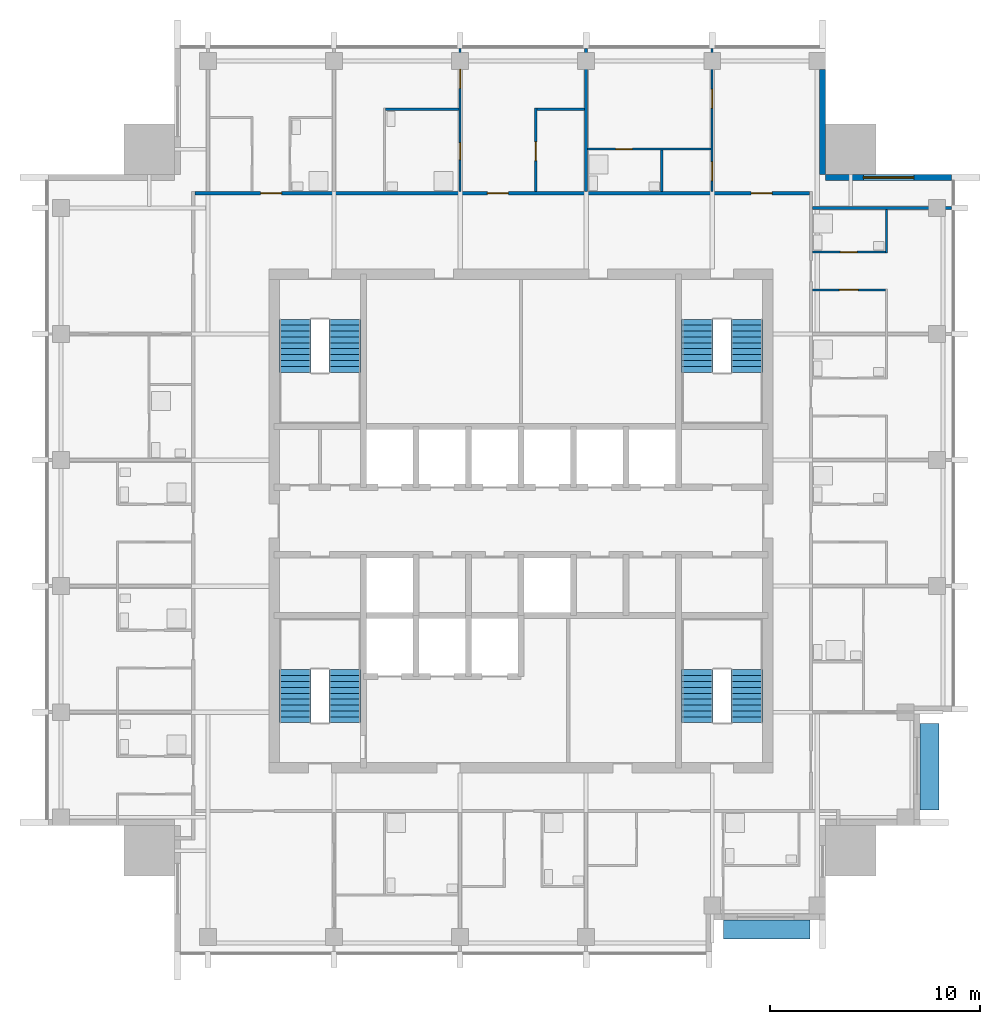
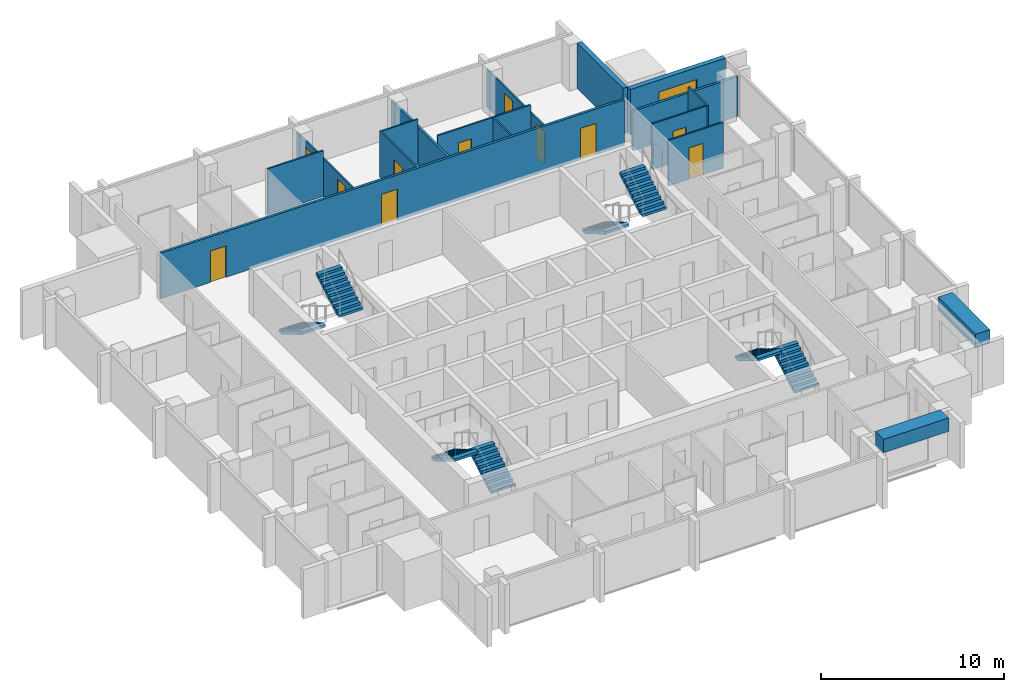
# One storey, part 7 of 9: 15 walls, 11 doors, 8 stair flights, 2 discrete accessories, 1 window, 12 openings, 4 elements without a shape of their own.
"""IFC4 building model written with IfcOpenShell, lengths in metres."""

from ifc_helpers import new_model, si_unit, direction, frame, frame_2d, origin, origin_2d, place, context, subcontext, project, spatial, polyline, rectangle, outline, extrude, material, layer, layer_set, type_object, element, fill, aggregate, save


model = new_model("IFC4")

# Units and contexts
model_context = context("Model", 3, precision=1e-05, world=origin(), true_north=direction((0.0, 1.0)))
body_context = subcontext(model_context, "Body", "Model", "MODEL_VIEW")
ifc_project = project(units=[si_unit("LENGTHUNIT", "METRE"), si_unit("AREAUNIT", "SQUARE_METRE"), si_unit("VOLUMEUNIT", "CUBIC_METRE"), si_unit("PLANEANGLEUNIT", "RADIAN"), si_unit("MASSUNIT", "GRAM", prefix="KILO")], contexts=[model_context])

# Site, building, storey
site_placement = place(None, origin())
site = spatial("IfcSite", under=ifc_project, at=site_placement, CompositionType="ELEMENT")
building_placement = place(site_placement, origin())
building = spatial("IfcBuilding", under=site, at=building_placement, Name="Amberfall Residences", CompositionType="ELEMENT")
storey_placement = place(building_placement, frame((0.0, 0.0, 245.5)))
storey = spatial("IfcBuildingStorey", under=building, at=storey_placement, Name="L65", CompositionType="ELEMENT", Elevation=245.5)

# Wall, opening, window
ifc_material_1 = material(Name="Pale stone cladding on insulated backing", Category="masonry")
ifc_layer_1 = layer(ifc_material_1, 0.300048828125)
ifc_layer_set_1 = layer_set([ifc_layer_1], Name="Bronze clad wall 300")
wall_type_1 = type_object("IfcWallType", Name="Bronze clad wall 300", PredefinedType="SOLIDWALL", material=ifc_layer_set_1)
wall_1_placement = place(storey_placement, frame((95.0, 61.85009765625, 0.0), z_axis=(0.0, 0.0, 1.0), x_axis=(-1.0, 0.0, 0.0)))
wall_1 = element("IfcWall", 1, at=wall_1_placement, inside=storey, type_object=wall_type_1, Name="External wall L65 NE", PredefinedType="SOLIDWALL", context=body_context, shape_type="SweptSolid", body=[
    extrude(rectangle(XDim=6.0, YDim=0.300048828125, at=frame_2d((3.0, 0.0))), origin(), (0.0, 0.0, 1.0), 3.050048828125),
])
opening_1_placement = place(wall_1_placement, frame((1.800048828125, 0.0, 0.14990234375)))
opening_1 = element("IfcOpeningElement", 2, at=opening_1_placement, cuts=wall_1, Name="Opening WN5", PredefinedType="OPENING", context=body_context, shape_type="SweptSolid", body=[
    extrude(rectangle(XDim=2.39990234375, YDim=2.10009765625, at=frame_2d((1.199951171875, 1.050048828125))), frame((0.0, 0.159912109375, 0.0), z_axis=(0.0, -1.0, 0.0), x_axis=(1.0, 0.0, 0.0)), (0.0, 0.0, 1.0), 0.320068359375),
])
ifc_material_2 = material(Name="Bronze aluminium framed glazing", Category="aluminium")
window_type = type_object("IfcWindowType", Name="Glazed opening 2400 x 2100 bronze", PartitioningType="DOUBLE_PANEL_VERTICAL", PredefinedType="WINDOW", material=ifc_material_2)
window_placement = place(opening_1_placement, origin())
window = element("IfcWindow", 3, at=window_placement, inside=storey, type_object=window_type, Name="Window L65 NE", OverallHeight=2.10009765625, OverallWidth=2.39990234375, PartitioningType="DOUBLE_PANEL_VERTICAL", PredefinedType="WINDOW", context=body_context, shape_type="SweptSolid", body=[
    extrude(rectangle(XDim=2.39990234375, YDim=2.10009765625, at=frame_2d((1.199951171875, 1.050048828125))), frame((0.0, 0.030029296875, 0.0), z_axis=(0.0, -1.0, 0.0), x_axis=(1.0, 0.0, 0.0)), (0.0, 0.0, 1.0), 0.06005859375),
])
fill(opening_1, window)

# Wall
wall_2_placement = place(storey_placement, frame((88.85009765625, 62.0, 0.0), z_axis=(0.0, 0.0, 1.0), x_axis=(0.0, 1.0, 0.0)))
element("IfcWall", 4, at=wall_2_placement, inside=storey, type_object=wall_type_1, Name="External wall L65 NE", PredefinedType="SOLIDWALL", context=body_context, shape_type="SweptSolid", body=[
    extrude(rectangle(XDim=5.0, YDim=0.300048828125, at=frame_2d((2.5, 0.0))), origin(), (0.0, 0.0, 1.0), 3.050048828125),
])

# Wall, openings, doors
ifc_material_3 = material(Name="Gypsum board on metal stud")
ifc_layer_2 = layer(ifc_material_3, 0.10009765625)
ifc_layer_set_2 = layer_set([ifc_layer_2], Name="Flat partition 100")
wall_type_2 = type_object("IfcWallType", Name="Flat partition 100", PredefinedType="PARTITIONING", material=ifc_layer_set_2)
wall_3_placement = place(storey_placement, frame((71.60009765625, 61.175048828125, 0.0), z_axis=(0.0, 0.0, 1.0), x_axis=(0.0, 1.0, 0.0)))
wall_3 = element("IfcWall", 5, at=wall_3_placement, inside=storey, type_object=wall_type_2, Name="Partition 011", PredefinedType="PARTITIONING", context=body_context, shape_type="SweptSolid", body=[
    extrude(rectangle(XDim=6.824951171875, YDim=0.10009765625, at=frame_2d((3.41259765625, 0.0))), origin(), (0.0, 0.0, 1.0), 2.51611328125),
])
opening_2_placement = place(wall_3_placement, frame((4.925048828125, 0.0, 0.0)))
opening_2 = element("IfcOpeningElement", 6, at=opening_2_placement, cuts=wall_3, Name="Opening D41", PredefinedType="OPENING", context=body_context, shape_type="SweptSolid", body=[
    extrude(rectangle(XDim=0.89990234375, YDim=2.10009765625, at=frame_2d((0.449951171875, 1.050048828125))), frame((0.0, 0.06005859375, 0.0), z_axis=(0.0, -1.0, 0.0), x_axis=(1.0, 0.0, 0.0)), (0.0, 0.0, 1.0), 0.1201171875),
])
opening_3_placement = place(wall_3_placement, frame((1.52490234375, 0.0, 0.0)))
opening_3 = element("IfcOpeningElement", 7, at=opening_3_placement, cuts=wall_3, Name="Opening D42", PredefinedType="OPENING", context=body_context, shape_type="SweptSolid", body=[
    extrude(rectangle(XDim=0.800048828125, YDim=2.10009765625, at=frame_2d((0.39990234375, 1.050048828125))), frame((0.0, 0.06005859375, 0.0), z_axis=(0.0, -1.0, 0.0), x_axis=(1.0, 0.0, 0.0)), (0.0, 0.0, 1.0), 0.1201171875),
])
ifc_material_4 = material(Name="Timber", Category="wood")
door_type_1 = type_object("IfcDoorType", Name="Bathroom door 800 x 2100", OperationType="SINGLE_SWING_LEFT", PredefinedType="DOOR", material=ifc_material_4)
door_1_placement = place(opening_3_placement, origin())
door_1 = element("IfcDoor", 8, at=door_1_placement, inside=storey, type_object=door_type_1, Name="Door 6509 bath1", OperationType="SINGLE_SWING_LEFT", OverallHeight=2.10009765625, OverallWidth=0.800048828125, PredefinedType="DOOR", context=body_context, shape_type="SweptSolid", body=[
    extrude(rectangle(XDim=0.800048828125, YDim=2.10009765625, at=frame_2d((0.39990234375, 1.050048828125))), frame((0.0, 0.02490234375, 0.0), z_axis=(0.0, -1.0, 0.0), x_axis=(1.0, 0.0, 0.0)), (0.0, 0.0, 1.0), 0.050048828125),
])
fill(opening_3, door_1)
door_type_2 = type_object("IfcDoorType", Name="Internal door 900 x 2100", OperationType="SINGLE_SWING_LEFT", PredefinedType="DOOR", material=ifc_material_4)
door_2_placement = place(opening_2_placement, origin())
door_2 = element("IfcDoor", 9, at=door_2_placement, inside=storey, type_object=door_type_2, Name="Door 6509 bedroom1", OperationType="SINGLE_SWING_LEFT", OverallHeight=2.10009765625, OverallWidth=0.89990234375, PredefinedType="DOOR", context=body_context, shape_type="SweptSolid", body=[
    extrude(rectangle(XDim=0.89990234375, YDim=2.10009765625, at=frame_2d((0.449951171875, 1.050048828125))), frame((0.0, 0.02490234375, 0.0), z_axis=(0.0, -1.0, 0.0), x_axis=(1.0, 0.0, 0.0)), (0.0, 0.0, 1.0), 0.050048828125),
])
fill(opening_2, door_2)

# Wall, opening, door
wall_4_placement = place(storey_placement, frame((75.199951171875, 65.14990234375, 0.0), z_axis=(0.0, 0.0, 1.0), x_axis=(0.0, -1.0, 0.0)))
wall_4 = element("IfcWall", 10, at=wall_4_placement, inside=storey, type_object=wall_type_2, Name="Partition 013", PredefinedType="PARTITIONING", context=body_context, shape_type="SweptSolid", body=[
    extrude(rectangle(XDim=3.974853515625, YDim=0.10009765625, at=frame_2d((1.9873046875, 0.0))), origin(), (0.0, 0.0, 1.0), 3.050048828125),
])
opening_4_placement = place(wall_4_placement, frame((1.60009765625, 0.0, 0.0)))
opening_4 = element("IfcOpeningElement", 11, at=opening_4_placement, cuts=wall_4, Name="Opening D41", PredefinedType="OPENING", context=body_context, shape_type="SweptSolid", body=[
    extrude(rectangle(XDim=0.89990234375, YDim=2.10009765625, at=frame_2d((0.449951171875, 1.050048828125))), frame((0.0, 0.06005859375, 0.0), z_axis=(0.0, -1.0, 0.0), x_axis=(1.0, 0.0, 0.0)), (0.0, 0.0, 1.0), 0.1201171875),
])
door_3_placement = place(opening_4_placement, origin())
door_3 = element("IfcDoor", 12, at=door_3_placement, inside=storey, type_object=door_type_2, Name="Door 6509 kitchen", OperationType="SINGLE_SWING_LEFT", OverallHeight=2.10009765625, OverallWidth=0.89990234375, PredefinedType="DOOR", context=body_context, shape_type="SweptSolid", body=[
    extrude(rectangle(XDim=0.89990234375, YDim=2.10009765625, at=frame_2d((0.449951171875, 1.050048828125))), frame((0.0, 0.02490234375, 0.0), z_axis=(0.0, -1.0, 0.0), x_axis=(1.0, 0.0, 0.0)), (0.0, 0.0, 1.0), 0.050048828125),
])
fill(opening_4, door_3)

# Wall
wall_5_placement = place(storey_placement, frame((81.199951171875, 61.175048828125, 0.0), z_axis=(0.0, 0.0, 1.0), x_axis=(0.0, 1.0, 0.0)))
element("IfcWall", 13, at=wall_5_placement, inside=storey, type_object=wall_type_2, Name="Partition 016", PredefinedType="PARTITIONING", context=body_context, shape_type="SweptSolid", body=[
    extrude(rectangle(XDim=1.974853515625, YDim=0.10009765625, at=frame_2d((0.9873046875, 0.0))), origin(), (0.0, 0.0, 1.0), 3.050048828125),
])

# Wall, openings, doors
wall_6_placement = place(storey_placement, frame((83.60009765625, 61.175048828125, 0.0), z_axis=(0.0, 0.0, 1.0), x_axis=(0.0, 1.0, 0.0)))
wall_6 = element("IfcWall", 14, at=wall_6_placement, inside=storey, type_object=wall_type_2, Name="Partition 017", PredefinedType="PARTITIONING", context=body_context, shape_type="SweptSolid", body=[
    extrude(rectangle(XDim=6.824951171875, YDim=0.10009765625, at=frame_2d((3.41259765625, 0.0))), origin(), (0.0, 0.0, 1.0), 2.51611328125),
])
opening_5_placement = place(wall_6_placement, frame((0.52490234375, 0.0, 0.0)))
opening_5 = element("IfcOpeningElement", 15, at=opening_5_placement, cuts=wall_6, Name="Opening D41", PredefinedType="OPENING", context=body_context, shape_type="SweptSolid", body=[
    extrude(rectangle(XDim=0.89990234375, YDim=2.10009765625, at=frame_2d((0.449951171875, 1.050048828125))), frame((0.0, 0.06005859375, 0.0), z_axis=(0.0, -1.0, 0.0), x_axis=(1.0, 0.0, 0.0)), (0.0, 0.0, 1.0), 0.1201171875),
])
opening_6_placement = place(wall_6_placement, frame((3.97509765625, 0.0, 0.0)))
opening_6 = element("IfcOpeningElement", 16, at=opening_6_placement, cuts=wall_6, Name="Opening D41", PredefinedType="OPENING", context=body_context, shape_type="SweptSolid", body=[
    extrude(rectangle(XDim=0.89990234375, YDim=2.10009765625, at=frame_2d((0.449951171875, 1.050048828125))), frame((0.0, 0.06005859375, 0.0), z_axis=(0.0, -1.0, 0.0), x_axis=(1.0, 0.0, 0.0)), (0.0, 0.0, 1.0), 0.1201171875),
])
door_4_placement = place(opening_5_placement, origin())
door_4 = element("IfcDoor", 17, at=door_4_placement, inside=storey, type_object=door_type_2, Name="Door 6510 kitchen", OperationType="SINGLE_SWING_LEFT", OverallHeight=2.10009765625, OverallWidth=0.89990234375, PredefinedType="DOOR", context=body_context, shape_type="SweptSolid", body=[
    extrude(rectangle(XDim=0.89990234375, YDim=2.10009765625, at=frame_2d((0.449951171875, 1.050048828125))), frame((0.0, 0.02490234375, 0.0), z_axis=(0.0, -1.0, 0.0), x_axis=(1.0, 0.0, 0.0)), (0.0, 0.0, 1.0), 0.050048828125),
])
fill(opening_5, door_4)
door_5_placement = place(opening_6_placement, origin())
door_5 = element("IfcDoor", 18, at=door_5_placement, inside=storey, type_object=door_type_2, Name="Door 6510 bedroom1", OperationType="SINGLE_SWING_LEFT", OverallHeight=2.10009765625, OverallWidth=0.89990234375, PredefinedType="DOOR", context=body_context, shape_type="SweptSolid", body=[
    extrude(rectangle(XDim=0.89990234375, YDim=2.10009765625, at=frame_2d((0.449951171875, 1.050048828125))), frame((0.0, 0.02490234375, 0.0), z_axis=(0.0, -1.0, 0.0), x_axis=(1.0, 0.0, 0.0)), (0.0, 0.0, 1.0), 0.050048828125),
])
fill(opening_6, door_5)

# Walls
wall_7_placement = place(storey_placement, frame((91.89990234375, 58.25, 0.0), z_axis=(0.0, 0.0, 1.0), x_axis=(0.0, 1.0, 0.0)))
element("IfcWall", 19, at=wall_7_placement, inside=storey, type_object=wall_type_2, Name="Partition 024", PredefinedType="PARTITIONING", context=body_context, shape_type="SweptSolid", body=[
    extrude(rectangle(XDim=2.074951171875, YDim=0.10009765625, at=frame_2d((1.03759765625, 0.0))), origin(), (0.0, 0.0, 1.0), 3.050048828125),
])
wall_8_placement = place(storey_placement, frame((68.050048828125, 65.10009765625, 0.0), z_axis=(0.0, 0.0, 1.0), x_axis=(1.0, 0.0, 0.0)))
element("IfcWall", 20, at=wall_8_placement, inside=storey, type_object=wall_type_2, Name="Partition 025", PredefinedType="PARTITIONING", context=body_context, shape_type="SweptSolid", body=[
    extrude(rectangle(XDim=3.5, YDim=0.10009765625, at=frame_2d((1.75, 0.0))), origin(), (0.0, 0.0, 1.0), 3.050048828125),
])
wall_9_placement = place(storey_placement, frame((75.25, 65.10009765625, 0.0), z_axis=(0.0, 0.0, 1.0), x_axis=(1.0, 0.0, 0.0)))
element("IfcWall", 21, at=wall_9_placement, inside=storey, type_object=wall_type_2, Name="Partition 026", PredefinedType="PARTITIONING", context=body_context, shape_type="SweptSolid", body=[
    extrude(rectangle(XDim=2.27490234375, YDim=0.10009765625, at=frame_2d((1.137451171875, 0.0))), origin(), (0.0, 0.0, 1.0), 3.050048828125),
])

# Wall, opening, door
wall_10_placement = place(storey_placement, frame((83.550048828125, 63.199951171875, 0.0), z_axis=(0.0, 0.0, 1.0), x_axis=(-1.0, 0.0, 0.0)))
wall_10 = element("IfcWall", 22, at=wall_10_placement, inside=storey, type_object=wall_type_2, Name="Partition 029", PredefinedType="PARTITIONING", context=body_context, shape_type="SweptSolid", body=[
    extrude(rectangle(XDim=5.875, YDim=0.10009765625, at=frame_2d((2.9375, 0.0))), origin(), (0.0, 0.0, 1.0), 3.050048828125),
])
opening_7_placement = place(wall_10_placement, frame((3.75, 0.0, 0.0)))
opening_7 = element("IfcOpeningElement", 23, at=opening_7_placement, cuts=wall_10, Name="Opening D42", PredefinedType="OPENING", context=body_context, shape_type="SweptSolid", body=[
    extrude(rectangle(XDim=0.800048828125, YDim=2.10009765625, at=frame_2d((0.39990234375, 1.050048828125))), frame((0.0, 0.06005859375, 0.0), z_axis=(0.0, -1.0, 0.0), x_axis=(1.0, 0.0, 0.0)), (0.0, 0.0, 1.0), 0.1201171875),
])
door_6_placement = place(opening_7_placement, origin())
door_6 = element("IfcDoor", 24, at=door_6_placement, inside=storey, type_object=door_type_1, Name="Door 6510 bath1", OperationType="SINGLE_SWING_LEFT", OverallHeight=2.10009765625, OverallWidth=0.800048828125, PredefinedType="DOOR", context=body_context, shape_type="SweptSolid", body=[
    extrude(rectangle(XDim=0.800048828125, YDim=2.10009765625, at=frame_2d((0.39990234375, 1.050048828125))), frame((0.0, 0.02490234375, 0.0), z_axis=(0.0, -1.0, 0.0), x_axis=(1.0, 0.0, 0.0)), (0.0, 0.0, 1.0), 0.050048828125),
])
fill(opening_7, door_6)

wall_11_placement = place(storey_placement, frame((88.375, 58.300048828125, 0.0), z_axis=(0.0, 0.0, 1.0), x_axis=(1.0, 0.0, 0.0)))
wall_11 = element("IfcWall", 25, at=wall_11_placement, inside=storey, type_object=wall_type_2, Name="Partition 030", PredefinedType="PARTITIONING", context=body_context, shape_type="SweptSolid", body=[
    extrude(rectangle(XDim=3.47509765625, YDim=0.10009765625, at=frame_2d((1.737548828125, 0.0))), origin(), (0.0, 0.0, 1.0), 3.050048828125),
])
opening_8_placement = place(wall_11_placement, frame((1.324951171875, 0.0, 0.0)))
opening_8 = element("IfcOpeningElement", 26, at=opening_8_placement, cuts=wall_11, Name="Opening D42", PredefinedType="OPENING", context=body_context, shape_type="SweptSolid", body=[
    extrude(rectangle(XDim=0.800048828125, YDim=2.10009765625, at=frame_2d((0.39990234375, 1.050048828125))), frame((0.0, 0.06005859375, 0.0), z_axis=(0.0, -1.0, 0.0), x_axis=(1.0, 0.0, 0.0)), (0.0, 0.0, 1.0), 0.1201171875),
])
door_7_placement = place(opening_8_placement, origin())
door_7 = element("IfcDoor", 27, at=door_7_placement, inside=storey, type_object=door_type_1, Name="Door 6507 bath1", OperationType="SINGLE_SWING_LEFT", OverallHeight=2.10009765625, OverallWidth=0.800048828125, PredefinedType="DOOR", context=body_context, shape_type="SweptSolid", body=[
    extrude(rectangle(XDim=0.800048828125, YDim=2.10009765625, at=frame_2d((0.39990234375, 1.050048828125))), frame((0.0, 0.02490234375, 0.0), z_axis=(0.0, -1.0, 0.0), x_axis=(1.0, 0.0, 0.0)), (0.0, 0.0, 1.0), 0.050048828125),
])
fill(opening_8, door_7)

wall_12_placement = place(storey_placement, frame((91.85009765625, 56.5, 0.0), z_axis=(0.0, 0.0, 1.0), x_axis=(-1.0, 0.0, 0.0)))
wall_12 = element("IfcWall", 28, at=wall_12_placement, inside=storey, type_object=wall_type_2, Name="Partition 031", PredefinedType="PARTITIONING", context=body_context, shape_type="SweptSolid", body=[
    extrude(rectangle(XDim=3.47509765625, YDim=0.10009765625, at=frame_2d((1.737548828125, 0.0))), origin(), (0.0, 0.0, 1.0), 3.050048828125),
])
opening_9_placement = place(wall_12_placement, frame((1.300048828125, 0.0, 0.0)))
opening_9 = element("IfcOpeningElement", 29, at=opening_9_placement, cuts=wall_12, Name="Opening D41", PredefinedType="OPENING", context=body_context, shape_type="SweptSolid", body=[
    extrude(rectangle(XDim=0.89990234375, YDim=2.10009765625, at=frame_2d((0.449951171875, 1.050048828125))), frame((0.0, 0.06005859375, 0.0), z_axis=(0.0, -1.0, 0.0), x_axis=(1.0, 0.0, 0.0)), (0.0, 0.0, 1.0), 0.1201171875),
])
door_8_placement = place(opening_9_placement, origin())
door_8 = element("IfcDoor", 30, at=door_8_placement, inside=storey, type_object=door_type_2, Name="Door 6507 kitchen", OperationType="SINGLE_SWING_LEFT", OverallHeight=2.10009765625, OverallWidth=0.89990234375, PredefinedType="DOOR", context=body_context, shape_type="SweptSolid", body=[
    extrude(rectangle(XDim=0.89990234375, YDim=2.10009765625, at=frame_2d((0.449951171875, 1.050048828125))), frame((0.0, 0.02490234375, 0.0), z_axis=(0.0, -1.0, 0.0), x_axis=(1.0, 0.0, 0.0)), (0.0, 0.0, 1.0), 0.050048828125),
])
fill(opening_9, door_8)

# Wall
ifc_material_5 = material(Name="Blockwork, plastered", Category="masonry")
ifc_layer_3 = layer(ifc_material_5, 0.14990234375)
ifc_layer_set_3 = layer_set([ifc_layer_3], Name="Flat separating wall 150")
wall_type_3 = type_object("IfcWallType", Name="Flat separating wall 150", PredefinedType="PARTITIONING", material=ifc_layer_set_3)
wall_13_placement = place(storey_placement, frame((77.60009765625, 61.175048828125, 0.0), z_axis=(0.0, 0.0, 1.0), x_axis=(0.0, 1.0, 0.0)))
element("IfcWall", 31, at=wall_13_placement, inside=storey, type_object=wall_type_3, Name="Separating wall 056", PredefinedType="PARTITIONING", context=body_context, shape_type="SweptSolid", body=[
    extrude(rectangle(XDim=6.824951171875, YDim=0.14990234375, at=frame_2d((3.41259765625, 0.0))), origin(), (0.0, 0.0, 1.0), 2.51611328125),
])

# Wall, openings, doors
wall_14_placement = place(storey_placement, frame((58.97509765625, 61.10009765625, 0.0), z_axis=(0.0, 0.0, 1.0), x_axis=(1.0, 0.0, 0.0)))
wall_14 = element("IfcWall", 32, at=wall_14_placement, inside=storey, type_object=wall_type_3, Name="Separating wall 059", PredefinedType="PARTITIONING", context=body_context, shape_type="SweptSolid", body=[
    extrude(rectangle(XDim=29.25, YDim=0.14990234375, at=frame_2d((14.625, 0.0))), origin(), (0.0, 0.0, 1.0), 3.050048828125),
])
opening_10_placement = place(wall_14_placement, frame((3.125, 0.0, 0.0)))
opening_10 = element("IfcOpeningElement", 33, at=opening_10_placement, cuts=wall_14, Name="Opening D40", PredefinedType="OPENING", context=body_context, shape_type="SweptSolid", body=[
    extrude(rectangle(XDim=1.0, YDim=2.10009765625, at=frame_2d((0.5, 1.050048828125))), frame((0.0, 0.0849609375, 0.0), z_axis=(0.0, -1.0, 0.0), x_axis=(1.0, 0.0, 0.0)), (0.0, 0.0, 1.0), 0.169921875),
])
opening_11_placement = place(wall_14_placement, frame((13.925048828125, 0.0, 0.0)))
opening_11 = element("IfcOpeningElement", 34, at=opening_11_placement, cuts=wall_14, Name="Opening D40", PredefinedType="OPENING", context=body_context, shape_type="SweptSolid", body=[
    extrude(rectangle(XDim=1.0, YDim=2.10009765625, at=frame_2d((0.5, 1.050048828125))), frame((0.0, 0.0849609375, 0.0), z_axis=(0.0, -1.0, 0.0), x_axis=(1.0, 0.0, 0.0)), (0.0, 0.0, 1.0), 0.169921875),
])
opening_12_placement = place(wall_14_placement, frame((26.47509765625, 0.0, 0.0)))
opening_12 = element("IfcOpeningElement", 35, at=opening_12_placement, cuts=wall_14, Name="Opening D40", PredefinedType="OPENING", context=body_context, shape_type="SweptSolid", body=[
    extrude(rectangle(XDim=1.0, YDim=2.10009765625, at=frame_2d((0.5, 1.050048828125))), frame((0.0, 0.0849609375, 0.0), z_axis=(0.0, -1.0, 0.0), x_axis=(1.0, 0.0, 0.0)), (0.0, 0.0, 1.0), 0.169921875),
])
ifc_material_6 = material(Name="Timber, fire-rated", Category="wood")
door_type_3 = type_object("IfcDoorType", Name="Flat entrance door FD60 1000 x 2100", OperationType="SINGLE_SWING_LEFT", PredefinedType="DOOR", material=ifc_material_6)
door_9_placement = place(opening_10_placement, origin())
door_9 = element("IfcDoor", 36, at=door_9_placement, inside=storey, type_object=door_type_3, Name="Door 6508 entrance", OperationType="SINGLE_SWING_LEFT", OverallHeight=2.10009765625, OverallWidth=1.0, PredefinedType="DOOR", context=body_context, shape_type="SweptSolid", body=[
    extrude(rectangle(XDim=1.0, YDim=2.10009765625, at=frame_2d((0.5, 1.050048828125))), frame((0.0, 0.02490234375, 0.0), z_axis=(0.0, -1.0, 0.0), x_axis=(1.0, 0.0, 0.0)), (0.0, 0.0, 1.0), 0.050048828125),
])
fill(opening_10, door_9)
door_10_placement = place(opening_11_placement, origin())
door_10 = element("IfcDoor", 37, at=door_10_placement, inside=storey, type_object=door_type_3, Name="Door 6509 entrance", OperationType="SINGLE_SWING_LEFT", OverallHeight=2.10009765625, OverallWidth=1.0, PredefinedType="DOOR", context=body_context, shape_type="SweptSolid", body=[
    extrude(rectangle(XDim=1.0, YDim=2.10009765625, at=frame_2d((0.5, 1.050048828125))), frame((0.0, 0.02490234375, 0.0), z_axis=(0.0, -1.0, 0.0), x_axis=(1.0, 0.0, 0.0)), (0.0, 0.0, 1.0), 0.050048828125),
])
fill(opening_11, door_10)
door_11_placement = place(opening_12_placement, origin())
door_11 = element("IfcDoor", 38, at=door_11_placement, inside=storey, type_object=door_type_3, Name="Door 6510 entrance", OperationType="SINGLE_SWING_LEFT", OverallHeight=2.10009765625, OverallWidth=1.0, PredefinedType="DOOR", context=body_context, shape_type="SweptSolid", body=[
    extrude(rectangle(XDim=1.0, YDim=2.10009765625, at=frame_2d((0.5, 1.050048828125))), frame((0.0, 0.02490234375, 0.0), z_axis=(0.0, -1.0, 0.0), x_axis=(1.0, 0.0, 0.0)), (0.0, 0.0, 1.0), 0.050048828125),
])
fill(opening_12, door_11)

# Wall
wall_15_placement = place(storey_placement, frame((88.375, 60.39990234375, 0.0), z_axis=(0.0, 0.0, 1.0), x_axis=(1.0, 0.0, 0.0)))
element("IfcWall", 39, at=wall_15_placement, inside=storey, type_object=wall_type_3, Name="Separating wall 060", PredefinedType="PARTITIONING", context=body_context, shape_type="SweptSolid", body=[
    extrude(rectangle(XDim=6.625, YDim=0.14990234375, at=frame_2d((3.3125, 0.0))), origin(), (0.0, 0.0, 1.0), 2.64697265625),
])

# Stair, stair flights
ifc_material_7 = material(Name="Concrete C40", Category="concrete")
stair_type = type_object("IfcStairType", Name="Exit stair 20 risers 165.0 mm", PredefinedType="HALF_TURN_STAIR", material=ifc_material_7)
stair_1_placement = place(storey_placement, origin())
stair_1 = element("IfcStair", 40, at=stair_1_placement, inside=storey, type_object=stair_type, Name="L65 Exit stair 1", PredefinedType="HALF_TURN_STAIR")
stair_flight_type = type_object("IfcStairFlightType", Name="Stair flight 10 risers 165.0 mm", PredefinedType="STRAIGHT", material=ifc_material_7)
stair_flight_1_placement = place(storey_placement, frame((66.10009765625, 35.89990234375, 0.0), z_axis=(0.0, 0.0, 1.0), x_axis=(0.0, 1.0, 0.0)))
stair_flight_1 = element("IfcStairFlight", 41, at=stair_flight_1_placement, type_object=stair_flight_type, Name="ST3 flight 1", NumberOfRisers=10, NumberOfTreads=9, PredefinedType="STRAIGHT", RiserHeight=0.165, TreadLength=0.28, context=body_context, shape_type="SweptSolid", body=[
    extrude(outline(polyline([(0.0, 0.0), (0.0, 0.1650390625), (0.280029296875, 0.1650390625), (0.280029296875, 0.330078125), (0.56005859375, 0.330078125), (0.56005859375, 0.4951171875), (0.840087890625, 0.4951171875), (0.840087890625, 0.659912109375), (1.1201171875, 0.659912109375), (1.1201171875, 0.824951171875), (1.39990234375, 0.824951171875), (1.39990234375, 0.989990234375), (1.679931640625, 0.989990234375), (1.679931640625, 1.155029296875), (1.9599609375, 1.155029296875), (1.9599609375, 1.320068359375), (2.239990234375, 1.320068359375), (2.239990234375, 1.485107421875), (2.52001953125, 1.485107421875), (2.52001953125, 1.64990234375), (2.52001953125, 1.31103515625), (0.295166015625, 0.0), (0.0, 0.0)])), frame((0.0, 0.75, 0.0), z_axis=(0.0, -1.0, 0.0), x_axis=(1.0, 0.0, 0.0)), (0.0, 0.0, 1.0), 1.5),
])
stair_flight_2_placement = place(storey_placement, frame((63.75, 38.419921875, 1.64990234375), z_axis=(0.0, 0.0, 1.0), x_axis=(0.0, -1.0, 0.0)))
stair_flight_2 = element("IfcStairFlight", 42, at=stair_flight_2_placement, type_object=stair_flight_type, Name="ST3 flight 2", NumberOfRisers=10, NumberOfTreads=9, PredefinedType="STRAIGHT", RiserHeight=0.165, TreadLength=0.28, context=body_context, shape_type="SweptSolid", body=[
    extrude(outline(polyline([(0.0, 0.0), (0.0, 0.1650390625), (0.280029296875, 0.1650390625), (0.280029296875, 0.330078125), (0.56005859375, 0.330078125), (0.56005859375, 0.4951171875), (0.840087890625, 0.4951171875), (0.840087890625, 0.659912109375), (1.1201171875, 0.659912109375), (1.1201171875, 0.824951171875), (1.39990234375, 0.824951171875), (1.39990234375, 0.989990234375), (1.679931640625, 0.989990234375), (1.679931640625, 1.155029296875), (1.9599609375, 1.155029296875), (1.9599609375, 1.320068359375), (2.239990234375, 1.320068359375), (2.239990234375, 1.485107421875), (2.52001953125, 1.485107421875), (2.52001953125, 1.64990234375), (2.52001953125, 1.31103515625), (0.295166015625, 0.0), (0.0, 0.0)])), frame((0.0, 0.75, 0.0), z_axis=(0.0, -1.0, 0.0), x_axis=(1.0, 0.0, 0.0)), (0.0, 0.0, 1.0), 1.5),
])
aggregate(stair_1, [stair_flight_1, stair_flight_2])

stair_2_placement = place(storey_placement, origin())
stair_2 = element("IfcStair", 43, at=stair_2_placement, inside=storey, type_object=stair_type, Name="L65 Exit stair 2", PredefinedType="HALF_TURN_STAIR")
stair_flight_3_placement = place(storey_placement, frame((85.25, 35.89990234375, 0.0), z_axis=(0.0, 0.0, 1.0), x_axis=(0.0, 1.0, 0.0)))
stair_flight_3 = element("IfcStairFlight", 44, at=stair_flight_3_placement, type_object=stair_flight_type, Name="ST3 flight 1", NumberOfRisers=10, NumberOfTreads=9, PredefinedType="STRAIGHT", RiserHeight=0.165, TreadLength=0.28, context=body_context, shape_type="SweptSolid", body=[
    extrude(outline(polyline([(0.0, 0.0), (0.0, 0.1650390625), (0.280029296875, 0.1650390625), (0.280029296875, 0.330078125), (0.56005859375, 0.330078125), (0.56005859375, 0.4951171875), (0.840087890625, 0.4951171875), (0.840087890625, 0.659912109375), (1.1201171875, 0.659912109375), (1.1201171875, 0.824951171875), (1.39990234375, 0.824951171875), (1.39990234375, 0.989990234375), (1.679931640625, 0.989990234375), (1.679931640625, 1.155029296875), (1.9599609375, 1.155029296875), (1.9599609375, 1.320068359375), (2.239990234375, 1.320068359375), (2.239990234375, 1.485107421875), (2.52001953125, 1.485107421875), (2.52001953125, 1.64990234375), (2.52001953125, 1.31103515625), (0.295166015625, 0.0), (0.0, 0.0)])), frame((0.0, 0.75, 0.0), z_axis=(0.0, -1.0, 0.0), x_axis=(1.0, 0.0, 0.0)), (0.0, 0.0, 1.0), 1.5),
])
stair_flight_4_placement = place(storey_placement, frame((82.89990234375, 38.419921875, 1.64990234375), z_axis=(0.0, 0.0, 1.0), x_axis=(0.0, -1.0, 0.0)))
stair_flight_4 = element("IfcStairFlight", 45, at=stair_flight_4_placement, type_object=stair_flight_type, Name="ST3 flight 2", NumberOfRisers=10, NumberOfTreads=9, PredefinedType="STRAIGHT", RiserHeight=0.165, TreadLength=0.28, context=body_context, shape_type="SweptSolid", body=[
    extrude(outline(polyline([(0.0, 0.0), (0.0, 0.1650390625), (0.280029296875, 0.1650390625), (0.280029296875, 0.330078125), (0.56005859375, 0.330078125), (0.56005859375, 0.4951171875), (0.840087890625, 0.4951171875), (0.840087890625, 0.659912109375), (1.1201171875, 0.659912109375), (1.1201171875, 0.824951171875), (1.39990234375, 0.824951171875), (1.39990234375, 0.989990234375), (1.679931640625, 0.989990234375), (1.679931640625, 1.155029296875), (1.9599609375, 1.155029296875), (1.9599609375, 1.320068359375), (2.239990234375, 1.320068359375), (2.239990234375, 1.485107421875), (2.52001953125, 1.485107421875), (2.52001953125, 1.64990234375), (2.52001953125, 1.31103515625), (0.295166015625, 0.0), (0.0, 0.0)])), frame((0.0, 0.75, 0.0), z_axis=(0.0, -1.0, 0.0), x_axis=(1.0, 0.0, 0.0)), (0.0, 0.0, 1.0), 1.5),
])
aggregate(stair_2, [stair_flight_3, stair_flight_4])

stair_3_placement = place(storey_placement, origin())
stair_3 = element("IfcStair", 46, at=stair_3_placement, inside=storey, type_object=stair_type, Name="L65 Exit stair 3", PredefinedType="HALF_TURN_STAIR")
stair_flight_5_placement = place(storey_placement, frame((82.89990234375, 55.10009765625, 0.0), z_axis=(0.0, 0.0, 1.0), x_axis=(0.0, -1.0, 0.0)))
stair_flight_5 = element("IfcStairFlight", 47, at=stair_flight_5_placement, type_object=stair_flight_type, Name="ST3 flight 1", NumberOfRisers=10, NumberOfTreads=9, PredefinedType="STRAIGHT", RiserHeight=0.165, TreadLength=0.28, context=body_context, shape_type="SweptSolid", body=[
    extrude(outline(polyline([(0.0, 0.0), (0.0, 0.1650390625), (0.280029296875, 0.1650390625), (0.280029296875, 0.330078125), (0.56005859375, 0.330078125), (0.56005859375, 0.4951171875), (0.840087890625, 0.4951171875), (0.840087890625, 0.659912109375), (1.1201171875, 0.659912109375), (1.1201171875, 0.824951171875), (1.39990234375, 0.824951171875), (1.39990234375, 0.989990234375), (1.679931640625, 0.989990234375), (1.679931640625, 1.155029296875), (1.9599609375, 1.155029296875), (1.9599609375, 1.320068359375), (2.239990234375, 1.320068359375), (2.239990234375, 1.485107421875), (2.52001953125, 1.485107421875), (2.52001953125, 1.64990234375), (2.52001953125, 1.31103515625), (0.295166015625, 0.0), (0.0, 0.0)])), frame((0.0, 0.75, 0.0), z_axis=(0.0, -1.0, 0.0), x_axis=(1.0, 0.0, 0.0)), (0.0, 0.0, 1.0), 1.5),
])
stair_flight_6_placement = place(storey_placement, frame((85.25, 52.580078125, 1.64990234375), z_axis=(0.0, 0.0, 1.0), x_axis=(0.0, 1.0, 0.0)))
stair_flight_6 = element("IfcStairFlight", 48, at=stair_flight_6_placement, type_object=stair_flight_type, Name="ST3 flight 2", NumberOfRisers=10, NumberOfTreads=9, PredefinedType="STRAIGHT", RiserHeight=0.165, TreadLength=0.28, context=body_context, shape_type="SweptSolid", body=[
    extrude(outline(polyline([(0.0, 0.0), (0.0, 0.1650390625), (0.280029296875, 0.1650390625), (0.280029296875, 0.330078125), (0.56005859375, 0.330078125), (0.56005859375, 0.4951171875), (0.840087890625, 0.4951171875), (0.840087890625, 0.659912109375), (1.1201171875, 0.659912109375), (1.1201171875, 0.824951171875), (1.39990234375, 0.824951171875), (1.39990234375, 0.989990234375), (1.679931640625, 0.989990234375), (1.679931640625, 1.155029296875), (1.9599609375, 1.155029296875), (1.9599609375, 1.320068359375), (2.239990234375, 1.320068359375), (2.239990234375, 1.485107421875), (2.52001953125, 1.485107421875), (2.52001953125, 1.64990234375), (2.52001953125, 1.31103515625), (0.295166015625, 0.0), (0.0, 0.0)])), frame((0.0, 0.75, 0.0), z_axis=(0.0, -1.0, 0.0), x_axis=(1.0, 0.0, 0.0)), (0.0, 0.0, 1.0), 1.5),
])
aggregate(stair_3, [stair_flight_5, stair_flight_6])

stair_4_placement = place(storey_placement, origin())
stair_4 = element("IfcStair", 49, at=stair_4_placement, inside=storey, type_object=stair_type, Name="L65 Exit stair 4", PredefinedType="HALF_TURN_STAIR")
stair_flight_7_placement = place(storey_placement, frame((63.75, 55.10009765625, 0.0), z_axis=(0.0, 0.0, 1.0), x_axis=(0.0, -1.0, 0.0)))
stair_flight_7 = element("IfcStairFlight", 50, at=stair_flight_7_placement, type_object=stair_flight_type, Name="ST3 flight 1", NumberOfRisers=10, NumberOfTreads=9, PredefinedType="STRAIGHT", RiserHeight=0.165, TreadLength=0.28, context=body_context, shape_type="SweptSolid", body=[
    extrude(outline(polyline([(0.0, 0.0), (0.0, 0.1650390625), (0.280029296875, 0.1650390625), (0.280029296875, 0.330078125), (0.56005859375, 0.330078125), (0.56005859375, 0.4951171875), (0.840087890625, 0.4951171875), (0.840087890625, 0.659912109375), (1.1201171875, 0.659912109375), (1.1201171875, 0.824951171875), (1.39990234375, 0.824951171875), (1.39990234375, 0.989990234375), (1.679931640625, 0.989990234375), (1.679931640625, 1.155029296875), (1.9599609375, 1.155029296875), (1.9599609375, 1.320068359375), (2.239990234375, 1.320068359375), (2.239990234375, 1.485107421875), (2.52001953125, 1.485107421875), (2.52001953125, 1.64990234375), (2.52001953125, 1.31103515625), (0.295166015625, 0.0), (0.0, 0.0)])), frame((0.0, 0.75, 0.0), z_axis=(0.0, -1.0, 0.0), x_axis=(1.0, 0.0, 0.0)), (0.0, 0.0, 1.0), 1.5),
])
stair_flight_8_placement = place(storey_placement, frame((66.10009765625, 52.580078125, 1.64990234375), z_axis=(0.0, 0.0, 1.0), x_axis=(0.0, 1.0, 0.0)))
stair_flight_8 = element("IfcStairFlight", 51, at=stair_flight_8_placement, type_object=stair_flight_type, Name="ST3 flight 2", NumberOfRisers=10, NumberOfTreads=9, PredefinedType="STRAIGHT", RiserHeight=0.165, TreadLength=0.28, context=body_context, shape_type="SweptSolid", body=[
    extrude(outline(polyline([(0.0, 0.0), (0.0, 0.1650390625), (0.280029296875, 0.1650390625), (0.280029296875, 0.330078125), (0.56005859375, 0.330078125), (0.56005859375, 0.4951171875), (0.840087890625, 0.4951171875), (0.840087890625, 0.659912109375), (1.1201171875, 0.659912109375), (1.1201171875, 0.824951171875), (1.39990234375, 0.824951171875), (1.39990234375, 0.989990234375), (1.679931640625, 0.989990234375), (1.679931640625, 1.155029296875), (1.9599609375, 1.155029296875), (1.9599609375, 1.320068359375), (2.239990234375, 1.320068359375), (2.239990234375, 1.485107421875), (2.52001953125, 1.485107421875), (2.52001953125, 1.64990234375), (2.52001953125, 1.31103515625), (0.295166015625, 0.0), (0.0, 0.0)])), frame((0.0, 0.75, 0.0), z_axis=(0.0, -1.0, 0.0), x_axis=(1.0, 0.0, 0.0)), (0.0, 0.0, 1.0), 1.5),
])
aggregate(stair_4, [stair_flight_7, stair_flight_8])

# Discrete accessories
for number, where, z_axis, x_axis, name in (
    (52, (86.195068359375, 26.050048828125, 2.400146484375), (0.0, 0.0, 1.0), (1.0, 0.0, 0.0), "Planter box L66 S3"),
    (53, (93.949951171875, 33.804931640625, 2.400146484375), (0.0, 0.0, 1.0), (0.0, 1.0, 0.0), "Planter box L66 E1"),
):
    element("IfcDiscreteAccessory", number, at=place(storey_placement, frame(where, z_axis=z_axis, x_axis=x_axis)), inside=storey, Name=name, ObjectType="PLANTER BOX", PredefinedType="USERDEFINED", context=body_context, shape_type="SweptSolid", body=[
        extrude(rectangle(XDim=4.110107421875, YDim=0.89990234375, at=origin_2d()), origin(), (0.0, 0.0, 1.0), 0.89990234375),
    ])

save(model, "model.ifc")
